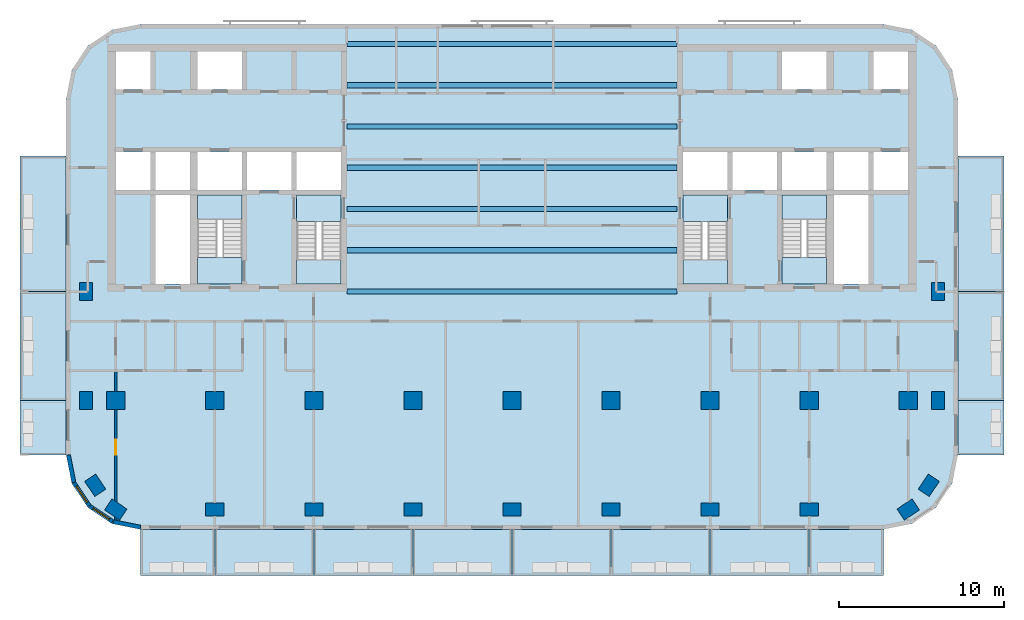
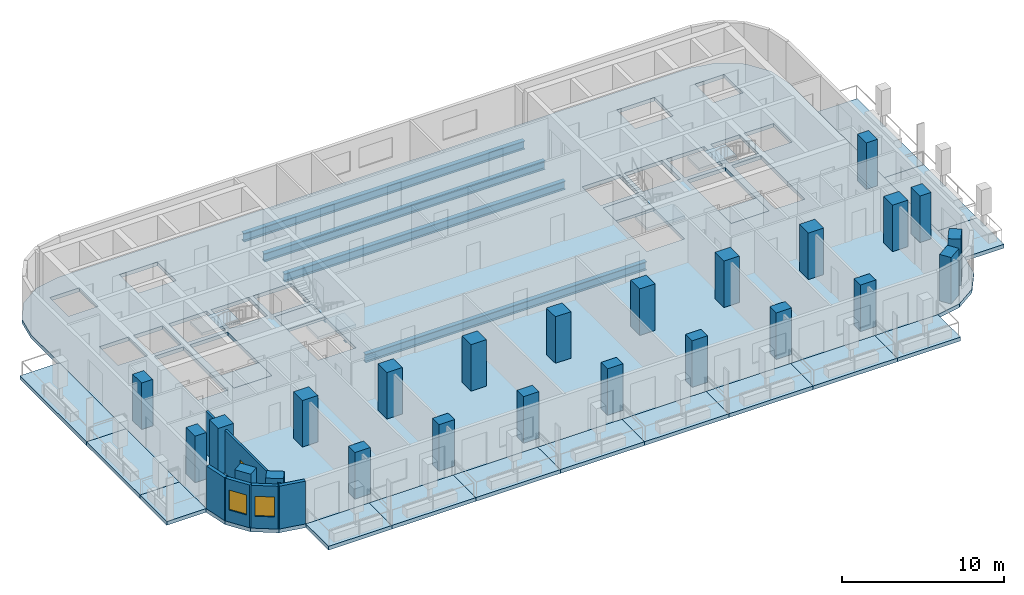
# One storey, part 1 of 11: 24 columns, 23 slabs, 7 beams, 5 walls, 2 windows, 1 door, 3 openings, 4 elements without a shape of their own.
"""IFC4 building model written with IfcOpenShell, lengths in metres."""

from ifc_helpers import new_model, si_unit, direction, frame, frame_2d, origin, origin_2d, place, context, subcontext, project, spatial, polyline, rectangle, i_section, outline, extrude, material, layer, layer_set, material_profile, profile_set, type_object, element, fill, aggregate, save


model = new_model("IFC4")

# Units and contexts
model_context = context("Model", 3, precision=1e-05, world=origin(), true_north=direction((0.0, 1.0)))
body_context = subcontext(model_context, "Body", "Model", "MODEL_VIEW")
ifc_project = project(units=[si_unit("LENGTHUNIT", "METRE"), si_unit("AREAUNIT", "SQUARE_METRE"), si_unit("VOLUMEUNIT", "CUBIC_METRE"), si_unit("PLANEANGLEUNIT", "RADIAN"), si_unit("MASSUNIT", "GRAM", prefix="KILO")], contexts=[model_context])

# Site, building, storey
site_placement = place(None, origin())
site = spatial("IfcSite", under=ifc_project, at=site_placement, CompositionType="ELEMENT")
building_placement = place(site_placement, origin())
building = spatial("IfcBuilding", under=site, at=building_placement, Name="Torana Hotel and Residences", CompositionType="ELEMENT")
storey_placement = place(building_placement, frame((0.0, 0.0, 190.60009765625)))
storey = spatial("IfcBuildingStorey", under=building, at=storey_placement, Name="L49", CompositionType="ELEMENT", Elevation=190.60009765625)

# Columns
ifc_material_1 = material(Name="Concrete C60/75", Category="concrete")
ifc_material_profile_1 = material_profile(ifc_material_1, rectangle(XDim=1.10009765625, YDim=1.10009765625, at=origin_2d()), Name="RC 1100x1100")
ifc_profile_set_1 = profile_set([ifc_material_profile_1], Name="Concrete C60/75")
column_type_1 = type_object("IfcColumnType", Name="COLUMN RC 1100x1100 C60/75", PredefinedType="COLUMN", material=ifc_profile_set_1)
for number, where, z_axis, x_axis, name in (
    (1, (-24.0, -21.60009765625, 0.0), (0.0, 0.0, 1.0), (1.0, 0.0, 0.0), "Column L49"),
    (2, (-18.0, -21.60009765625, 0.0), (0.0, 0.0, 1.0), (1.0, 0.0, 0.0), "Column L49"),
    (3, (-12.0, -21.60009765625, 0.0), (0.0, 0.0, 1.0), (1.0, 0.0, 0.0), "Column L49"),
    (4, (-6.0, -21.60009765625, 0.0), (0.0, 0.0, 1.0), (1.0, 0.0, 0.0), "Column L49"),
    (5, (0.0, -21.60009765625, 0.0), (0.0, 0.0, 1.0), (1.0, 0.0, 0.0), "Column L49"),
    (6, (6.0, -21.60009765625, 0.0), (0.0, 0.0, 1.0), (1.0, 0.0, 0.0), "Column L49"),
    (7, (12.0, -21.60009765625, 0.0), (0.0, 0.0, 1.0), (1.0, 0.0, 0.0), "Column L49"),
    (8, (18.0, -21.60009765625, 0.0), (0.0, 0.0, 1.0), (1.0, 0.0, 0.0), "Column L49"),
    (9, (24.0, -21.60009765625, 0.0), (0.0, 0.0, 1.0), (1.0, 0.0, 0.0), "Column L49"),
):
    element("IfcColumn", number, at=place(storey_placement, frame(where, z_axis=z_axis, x_axis=x_axis)), inside=storey, type_object=column_type_1, Name=name, PredefinedType="COLUMN", context=body_context, shape_type="SweptSolid", body=[
        extrude(rectangle(XDim=1.10009765625, YDim=1.10009765625, at=origin_2d()), origin(), (0.0, 0.0, 1.0), 3.5),
    ])
ifc_material_2 = material(Name="Concrete C60/75", Category="concrete")
ifc_material_profile_2 = material_profile(ifc_material_2, rectangle(XDim=1.10009765625, YDim=0.800048828125, at=origin_2d()), Name="RC 1100x800")
ifc_profile_set_2 = profile_set([ifc_material_profile_2], Name="Concrete C60/75")
column_type_2 = type_object("IfcColumnType", Name="COLUMN RC 1100x800 C60/75", PredefinedType="COLUMN", material=ifc_profile_set_2)
for number, where, z_axis, x_axis, name in (
    (10, (-25.800048828125, -21.60009765625, 0.0), (0.0, 0.0, 1.0), (0.0, 1.0, 0.0), "Column L49"),
    (11, (-25.800048828125, -15.0, 0.0), (0.0, 0.0, 1.0), (0.0, 1.0, 0.0), "Column L49"),
    (12, (-25.243896484375, -26.73291015625, 0.0), (0.0, 0.0, 1.0), (-0.555584744817, 0.831459915646, 0.0), "Column L49"),
    (13, (-24.0, -28.199951171875, 0.0), (0.0, 0.0, 1.0), (-0.831459915646, 0.555584744817, 0.0), "Column L49"),
    (14, (-18.0, -28.199951171875, 0.0), (0.0, 0.0, 1.0), (1.0, 0.0, 0.0), "Column L49"),
    (15, (-12.0, -28.199951171875, 0.0), (0.0, 0.0, 1.0), (1.0, 0.0, 0.0), "Column L49"),
    (16, (-6.0, -28.199951171875, 0.0), (0.0, 0.0, 1.0), (1.0, 0.0, 0.0), "Column L49"),
    (17, (0.0, -28.199951171875, 0.0), (0.0, 0.0, 1.0), (1.0, 0.0, 0.0), "Column L49"),
    (18, (6.0, -28.199951171875, 0.0), (0.0, 0.0, 1.0), (1.0, 0.0, 0.0), "Column L49"),
    (19, (12.0, -28.199951171875, 0.0), (0.0, 0.0, 1.0), (1.0, 0.0, 0.0), "Column L49"),
    (20, (18.0, -28.199951171875, 0.0), (0.0, 0.0, 1.0), (1.0, 0.0, 0.0), "Column L49"),
    (21, (24.0, -28.199951171875, 0.0), (0.0, 0.0, 1.0), (0.831459915646, 0.555584744817, 0.0), "Column L49"),
    (22, (25.243896484375, -26.73291015625, 0.0), (0.0, 0.0, 1.0), (0.555584744817, 0.831459915646, 0.0), "Column L49"),
    (23, (25.800048828125, -21.60009765625, 0.0), (0.0, 0.0, 1.0), (0.0, 1.0, 0.0), "Column L49"),
    (24, (25.800048828125, -15.0, 0.0), (0.0, 0.0, 1.0), (0.0, 1.0, 0.0), "Column L49"),
):
    element("IfcColumn", number, at=place(storey_placement, frame(where, z_axis=z_axis, x_axis=x_axis)), inside=storey, type_object=column_type_2, Name=name, PredefinedType="COLUMN", context=body_context, shape_type="SweptSolid", body=[
        extrude(rectangle(XDim=1.10009765625, YDim=0.800048828125, at=origin_2d()), origin(), (0.0, 0.0, 1.0), 3.5),
    ])

# Beams
ifc_material_3 = material(Name="Steel S355", Category="steel")
ifc_material_profile_3 = material_profile(ifc_material_3, i_section(OverallWidth=0.311279296875, OverallDepth=0.6357421875, WebThickness=0.018310546875, FlangeThickness=0.031494140625, FilletRadius=0.0166015625, at=origin_2d()), Name="610x305x238 UB")
ifc_profile_set_3 = profile_set([ifc_material_profile_3], Name="Steel S355")
beam_type = type_object("IfcBeamType", Name="STEEL GIRDER 610x305x238 UB", PredefinedType="BEAM", material=ifc_profile_set_3)
for number, where, z_axis, x_axis, name in (
    (25, (-10.0, -15.0, -0.597900390625), (1.0, 0.0, 0.0), (0.0, 1.0, 0.0), "Floor girder"),
    (26, (-10.0, -12.5, -0.597900390625), (1.0, 0.0, 0.0), (0.0, 1.0, 0.0), "Floor girder"),
    (27, (-10.0, -10.0, -0.597900390625), (1.0, 0.0, 0.0), (0.0, 1.0, 0.0), "Floor girder"),
    (28, (-10.0, -7.5, -0.597900390625), (1.0, 0.0, 0.0), (0.0, 1.0, 0.0), "Floor girder"),
    (29, (-10.0, -5.0, -0.597900390625), (1.0, 0.0, 0.0), (0.0, 1.0, 0.0), "Floor girder"),
    (30, (-10.0, -2.5, -0.597900390625), (1.0, 0.0, 0.0), (0.0, 1.0, 0.0), "Floor girder"),
    (31, (-10.0, 0.0, -0.597900390625), (1.0, 0.0, 0.0), (0.0, 1.0, 0.0), "Floor girder"),
):
    element("IfcBeam", number, at=place(storey_placement, frame(where, z_axis=z_axis, x_axis=x_axis)), inside=storey, type_object=beam_type, Name=name, PredefinedType="BEAM", context=body_context, shape_type="SweptSolid", body=[
        extrude(i_section(OverallWidth=0.311279296875, OverallDepth=0.6357421875, WebThickness=0.018310546875, FlangeThickness=0.031494140625, FilletRadius=0.0166015625, at=origin_2d()), origin(), (0.0, 0.0, 1.0), 20.0),
    ])

# Slabs
ifc_material_4 = material(Name="Concrete C40/50", Category="concrete")
ifc_layer_1 = layer(ifc_material_4, 0.280029296875)
ifc_layer_set_1 = layer_set([ifc_layer_1], Name="BAL1 BALCONY SLAB 280")
slab_type_1 = type_object("IfcSlabType", Name="BAL1 BALCONY SLAB 280", PredefinedType="USERDEFINED", material=ifc_layer_set_1)
slab_1_placement = place(storey_placement, frame((0.0, 0.0, -0.280029296875)))
element("IfcSlab", 32, at=slab_1_placement, inside=storey, type_object=slab_type_1, Name="Balcony 01", ObjectType="BALCONY", PredefinedType="USERDEFINED", context=body_context, shape_type="SweptSolid", body=[
    extrude(outline(polyline([(-22.5, -32.199951171875), (-18.0, -32.199951171875), (-18.0, -29.39990234375), (-22.5, -29.39990234375), (-22.5, -32.199951171875)])), origin(), (0.0, 0.0, 1.0), 0.280029296875),
])
slab_2_placement = place(storey_placement, frame((0.0, 0.0, -0.280029296875)))
element("IfcSlab", 33, at=slab_2_placement, inside=storey, type_object=slab_type_1, Name="Balcony 02", ObjectType="BALCONY", PredefinedType="USERDEFINED", context=body_context, shape_type="SweptSolid", body=[
    extrude(outline(polyline([(-18.0, -32.199951171875), (-12.0, -32.199951171875), (-12.0, -29.39990234375), (-18.0, -29.39990234375), (-18.0, -32.199951171875)])), origin(), (0.0, 0.0, 1.0), 0.280029296875),
])
slab_3_placement = place(storey_placement, frame((0.0, 0.0, -0.280029296875)))
element("IfcSlab", 34, at=slab_3_placement, inside=storey, type_object=slab_type_1, Name="Balcony 03", ObjectType="BALCONY", PredefinedType="USERDEFINED", context=body_context, shape_type="SweptSolid", body=[
    extrude(outline(polyline([(-12.0, -32.199951171875), (-6.0, -32.199951171875), (-6.0, -29.39990234375), (-12.0, -29.39990234375), (-12.0, -32.199951171875)])), origin(), (0.0, 0.0, 1.0), 0.280029296875),
])
slab_4_placement = place(storey_placement, frame((0.0, 0.0, -0.280029296875)))
element("IfcSlab", 35, at=slab_4_placement, inside=storey, type_object=slab_type_1, Name="Balcony 04", ObjectType="BALCONY", PredefinedType="USERDEFINED", context=body_context, shape_type="SweptSolid", body=[
    extrude(outline(polyline([(-6.0, -32.199951171875), (0.0, -32.199951171875), (0.0, -29.39990234375), (-6.0, -29.39990234375), (-6.0, -32.199951171875)])), origin(), (0.0, 0.0, 1.0), 0.280029296875),
])
slab_5_placement = place(storey_placement, frame((0.0, 0.0, -0.280029296875)))
element("IfcSlab", 36, at=slab_5_placement, inside=storey, type_object=slab_type_1, Name="Balcony 05", ObjectType="BALCONY", PredefinedType="USERDEFINED", context=body_context, shape_type="SweptSolid", body=[
    extrude(outline(polyline([(0.0, -32.199951171875), (6.0, -32.199951171875), (6.0, -29.39990234375), (0.0, -29.39990234375), (0.0, -32.199951171875)])), origin(), (0.0, 0.0, 1.0), 0.280029296875),
])
slab_6_placement = place(storey_placement, frame((0.0, 0.0, -0.280029296875)))
element("IfcSlab", 37, at=slab_6_placement, inside=storey, type_object=slab_type_1, Name="Balcony 06", ObjectType="BALCONY", PredefinedType="USERDEFINED", context=body_context, shape_type="SweptSolid", body=[
    extrude(outline(polyline([(6.0, -32.199951171875), (12.0, -32.199951171875), (12.0, -29.39990234375), (6.0, -29.39990234375), (6.0, -32.199951171875)])), origin(), (0.0, 0.0, 1.0), 0.280029296875),
])
slab_7_placement = place(storey_placement, frame((0.0, 0.0, -0.280029296875)))
element("IfcSlab", 38, at=slab_7_placement, inside=storey, type_object=slab_type_1, Name="Balcony 07", ObjectType="BALCONY", PredefinedType="USERDEFINED", context=body_context, shape_type="SweptSolid", body=[
    extrude(outline(polyline([(12.0, -32.199951171875), (18.0, -32.199951171875), (18.0, -29.39990234375), (12.0, -29.39990234375), (12.0, -32.199951171875)])), origin(), (0.0, 0.0, 1.0), 0.280029296875),
])
slab_8_placement = place(storey_placement, frame((0.0, 0.0, -0.280029296875)))
element("IfcSlab", 39, at=slab_8_placement, inside=storey, type_object=slab_type_1, Name="Balcony 08", ObjectType="BALCONY", PredefinedType="USERDEFINED", context=body_context, shape_type="SweptSolid", body=[
    extrude(outline(polyline([(18.0, -32.199951171875), (22.5, -32.199951171875), (22.5, -29.39990234375), (18.0, -29.39990234375), (18.0, -32.199951171875)])), origin(), (0.0, 0.0, 1.0), 0.280029296875),
])
slab_9_placement = place(storey_placement, frame((0.0, 0.0, -0.280029296875)))
element("IfcSlab", 40, at=slab_9_placement, inside=storey, type_object=slab_type_1, Name="Balcony 09", ObjectType="BALCONY", PredefinedType="USERDEFINED", context=body_context, shape_type="SweptSolid", body=[
    extrude(outline(polyline([(-29.800048828125, -24.89990234375), (-27.0, -24.89990234375), (-27.0, -21.60009765625), (-29.800048828125, -21.60009765625), (-29.800048828125, -24.89990234375)])), origin(), (0.0, 0.0, 1.0), 0.280029296875),
])
slab_10_placement = place(storey_placement, frame((0.0, 0.0, -0.280029296875)))
element("IfcSlab", 41, at=slab_10_placement, inside=storey, type_object=slab_type_1, Name="Balcony 10", ObjectType="BALCONY", PredefinedType="USERDEFINED", context=body_context, shape_type="SweptSolid", body=[
    extrude(outline(polyline([(-29.800048828125, -21.60009765625), (-27.0, -21.60009765625), (-27.0, -15.0), (-29.800048828125, -15.0), (-29.800048828125, -21.60009765625)])), origin(), (0.0, 0.0, 1.0), 0.280029296875),
])
slab_11_placement = place(storey_placement, frame((0.0, 0.0, -0.280029296875)))
element("IfcSlab", 42, at=slab_11_placement, inside=storey, type_object=slab_type_1, Name="Balcony 11", ObjectType="BALCONY", PredefinedType="USERDEFINED", context=body_context, shape_type="SweptSolid", body=[
    extrude(outline(polyline([(-29.800048828125, -15.0), (-27.0, -15.0), (-27.0, -6.800048828125), (-29.800048828125, -6.800048828125), (-29.800048828125, -15.0)])), origin(), (0.0, 0.0, 1.0), 0.280029296875),
])
slab_12_placement = place(storey_placement, frame((0.0, 0.0, -0.280029296875)))
element("IfcSlab", 43, at=slab_12_placement, inside=storey, type_object=slab_type_1, Name="Balcony 12", ObjectType="BALCONY", PredefinedType="USERDEFINED", context=body_context, shape_type="SweptSolid", body=[
    extrude(outline(polyline([(27.0, -24.89990234375), (29.800048828125, -24.89990234375), (29.800048828125, -21.60009765625), (27.0, -21.60009765625), (27.0, -24.89990234375)])), origin(), (0.0, 0.0, 1.0), 0.280029296875),
])
slab_13_placement = place(storey_placement, frame((0.0, 0.0, -0.280029296875)))
element("IfcSlab", 44, at=slab_13_placement, inside=storey, type_object=slab_type_1, Name="Balcony 13", ObjectType="BALCONY", PredefinedType="USERDEFINED", context=body_context, shape_type="SweptSolid", body=[
    extrude(outline(polyline([(27.0, -21.60009765625), (29.800048828125, -21.60009765625), (29.800048828125, -15.0), (27.0, -15.0), (27.0, -21.60009765625)])), origin(), (0.0, 0.0, 1.0), 0.280029296875),
])
slab_14_placement = place(storey_placement, frame((0.0, 0.0, -0.280029296875)))
element("IfcSlab", 45, at=slab_14_placement, inside=storey, type_object=slab_type_1, Name="Balcony 14", ObjectType="BALCONY", PredefinedType="USERDEFINED", context=body_context, shape_type="SweptSolid", body=[
    extrude(outline(polyline([(27.0, -15.0), (29.800048828125, -15.0), (29.800048828125, -6.800048828125), (27.0, -6.800048828125), (27.0, -15.0)])), origin(), (0.0, 0.0, 1.0), 0.280029296875),
])
ifc_material_5 = material(Name="Concrete C40/50", Category="concrete")
ifc_layer_2 = layer(ifc_material_5, 0.280029296875)
ifc_layer_set_2 = layer_set([ifc_layer_2], Name="FLOOR SLAB PT 280")
slab_type_2 = type_object("IfcSlabType", Name="FLOOR SLAB PT 280", PredefinedType="FLOOR", material=ifc_layer_set_2)
slab_15_placement = place(storey_placement, frame((0.0, 0.0, -0.280029296875)))
element("IfcSlab", 46, at=slab_15_placement, inside=storey, type_object=slab_type_2, Name="Floor slab", PredefinedType="FLOOR", context=body_context, shape_type="SweptSolid", body=[
    extrude(outline(polyline([(27.0, -3.300048828125), (26.657470703125, -1.577880859375), (25.681884765625, -0.117919921875), (24.22216796875, 0.857421875), (22.5, 1.199951171875), (-22.5, 1.199951171875), (-24.22216796875, 0.857421875), (-25.681884765625, -0.117919921875), (-26.657470703125, -1.577880859375), (-27.0, -3.300048828125), (-27.0, -24.89990234375), (-26.657470703125, -26.6220703125), (-25.681884765625, -28.08203125), (-24.22216796875, -29.0576171875), (-22.5, -29.39990234375), (22.5, -29.39990234375), (24.22216796875, -29.0576171875), (25.681884765625, -28.08203125), (26.657470703125, -26.6220703125), (27.0, -24.89990234375), (27.0, -3.300048828125)]), holes=[polyline([(-13.050048828125, -14.550048828125), (-10.35009765625, -14.550048828125), (-10.35009765625, -9.14990234375), (-13.050048828125, -9.14990234375), (-13.050048828125, -14.550048828125)]), polyline([(-19.050048828125, -14.550048828125), (-16.35009765625, -14.550048828125), (-16.35009765625, -9.14990234375), (-19.050048828125, -9.14990234375), (-19.050048828125, -14.550048828125)]), polyline([(-19.050048828125, -2.75), (-16.35009765625, -2.75), (-16.35009765625, -0.449951171875), (-19.050048828125, -0.449951171875), (-19.050048828125, -2.75)]), polyline([(-21.60009765625, -8.85009765625), (-19.5, -8.85009765625), (-19.5, -6.550048828125), (-21.60009765625, -6.550048828125), (-21.60009765625, -8.85009765625)]), polyline([(-24.0, -2.75), (-21.89990234375, -2.75), (-21.89990234375, -0.449951171875), (-24.0, -0.449951171875), (-24.0, -2.75)]), polyline([(-24.0, -8.85009765625), (-21.89990234375, -8.85009765625), (-21.89990234375, -6.550048828125), (-24.0, -6.550048828125), (-24.0, -8.85009765625)]), polyline([(-13.050048828125, -8.85009765625), (-10.35009765625, -8.85009765625), (-10.35009765625, -6.550048828125), (-13.050048828125, -6.550048828125), (-13.050048828125, -8.85009765625)]), polyline([(-16.050048828125, -8.85009765625), (-13.35009765625, -8.85009765625), (-13.35009765625, -6.550048828125), (-16.050048828125, -6.550048828125), (-16.050048828125, -8.85009765625)]), polyline([(-19.050048828125, -8.85009765625), (-16.35009765625, -8.85009765625), (-16.35009765625, -6.550048828125), (-19.050048828125, -6.550048828125), (-19.050048828125, -8.85009765625)]), polyline([(-21.60009765625, -14.550048828125), (-19.5, -14.550048828125), (-19.5, -9.14990234375), (-21.60009765625, -9.14990234375), (-21.60009765625, -14.550048828125)]), polyline([(10.35009765625, -14.550048828125), (13.050048828125, -14.550048828125), (13.050048828125, -9.14990234375), (10.35009765625, -9.14990234375), (10.35009765625, -14.550048828125)]), polyline([(16.35009765625, -14.550048828125), (19.050048828125, -14.550048828125), (19.050048828125, -9.14990234375), (16.35009765625, -9.14990234375), (16.35009765625, -14.550048828125)]), polyline([(16.35009765625, -2.75), (19.050048828125, -2.75), (19.050048828125, -0.449951171875), (16.35009765625, -0.449951171875), (16.35009765625, -2.75)]), polyline([(19.5, -8.85009765625), (21.60009765625, -8.85009765625), (21.60009765625, -6.550048828125), (19.5, -6.550048828125), (19.5, -8.85009765625)]), polyline([(21.89990234375, -2.75), (24.0, -2.75), (24.0, -0.449951171875), (21.89990234375, -0.449951171875), (21.89990234375, -2.75)]), polyline([(21.89990234375, -8.85009765625), (24.0, -8.85009765625), (24.0, -6.550048828125), (21.89990234375, -6.550048828125), (21.89990234375, -8.85009765625)]), polyline([(10.35009765625, -8.85009765625), (13.050048828125, -8.85009765625), (13.050048828125, -6.550048828125), (10.35009765625, -6.550048828125), (10.35009765625, -8.85009765625)]), polyline([(13.35009765625, -8.85009765625), (16.050048828125, -8.85009765625), (16.050048828125, -6.550048828125), (13.35009765625, -6.550048828125), (13.35009765625, -8.85009765625)]), polyline([(16.35009765625, -8.85009765625), (19.050048828125, -8.85009765625), (19.050048828125, -6.550048828125), (16.35009765625, -6.550048828125), (16.35009765625, -8.85009765625)]), polyline([(19.5, -14.550048828125), (21.60009765625, -14.550048828125), (21.60009765625, -9.14990234375), (19.5, -9.14990234375), (19.5, -14.550048828125)])]), origin(), (0.0, 0.0, 1.0), 0.280029296875),
])

# Stair, slabs
ifc_material_6 = material(Name="Concrete C40/50 precast", Category="concrete")
stair_type_1 = type_object("IfcStairType", Name="STAIR ST1 HALF TURN 1200", PredefinedType="HALF_TURN_STAIR", material=ifc_material_6)
stair_1_placement = place(storey_placement, origin())
stair_1 = element("IfcStair", 47, at=stair_1_placement, inside=storey, type_object=stair_type_1, Name="Stair ST1 L49", PredefinedType="HALF_TURN_STAIR")
ifc_material_7 = material(Name="Concrete C40/50 precast", Category="concrete")
ifc_layer_3 = layer(ifc_material_7, 0.199951171875)
ifc_layer_set_3 = layer_set([ifc_layer_3], Name="STAIR LANDING 200")
slab_type_3 = type_object("IfcSlabType", Name="STAIR LANDING 200", PredefinedType="LANDING", material=ifc_layer_set_3)
slab_16_placement = place(storey_placement, frame((0.0, 0.0, 1.5498046875)))
slab_16 = element("IfcSlab", 48, at=slab_16_placement, type_object=slab_type_3, Name="ST1 landing 1", PredefinedType="LANDING", context=body_context, shape_type="SweptSolid", body=[
    extrude(outline(polyline([(-13.050048828125, -14.550048828125), (-10.35009765625, -14.550048828125), (-10.35009765625, -13.090087890625), (-13.050048828125, -13.090087890625), (-13.050048828125, -14.550048828125)])), origin(), (0.0, 0.0, 1.0), 0.2001953125),
])
slab_17_placement = place(storey_placement, frame((0.0, 0.0, -0.2001953125)))
slab_17 = element("IfcSlab", 49, at=slab_17_placement, type_object=slab_type_3, Name="ST1 landing 2", PredefinedType="LANDING", context=body_context, shape_type="SweptSolid", body=[
    extrude(outline(polyline([(-13.050048828125, -10.75), (-10.35009765625, -10.75), (-10.35009765625, -9.14990234375), (-13.050048828125, -9.14990234375), (-13.050048828125, -10.75)])), origin(), (0.0, 0.0, 1.0), 0.2001953125),
])
aggregate(stair_1, [slab_16, slab_17])

ifc_material_8 = material(Name="Concrete C40/50 precast", Category="concrete")
stair_type_2 = type_object("IfcStairType", Name="STAIR ST2 HALF TURN 1200", PredefinedType="HALF_TURN_STAIR", material=ifc_material_8)
stair_2_placement = place(storey_placement, origin())
stair_2 = element("IfcStair", 50, at=stair_2_placement, inside=storey, type_object=stair_type_2, Name="Stair ST2 L49", PredefinedType="HALF_TURN_STAIR")
slab_18_placement = place(storey_placement, frame((0.0, 0.0, 1.5498046875)))
slab_18 = element("IfcSlab", 51, at=slab_18_placement, type_object=slab_type_3, Name="ST2 landing 1", PredefinedType="LANDING", context=body_context, shape_type="SweptSolid", body=[
    extrude(outline(polyline([(-19.050048828125, -10.610107421875), (-16.35009765625, -10.610107421875), (-16.35009765625, -9.14990234375), (-19.050048828125, -9.14990234375), (-19.050048828125, -10.610107421875)])), origin(), (0.0, 0.0, 1.0), 0.2001953125),
])
slab_19_placement = place(storey_placement, frame((0.0, 0.0, -0.2001953125)))
slab_19 = element("IfcSlab", 52, at=slab_19_placement, type_object=slab_type_3, Name="ST2 landing 2", PredefinedType="LANDING", context=body_context, shape_type="SweptSolid", body=[
    extrude(outline(polyline([(-19.050048828125, -14.550048828125), (-16.35009765625, -14.550048828125), (-16.35009765625, -12.949951171875), (-19.050048828125, -12.949951171875), (-19.050048828125, -14.550048828125)])), origin(), (0.0, 0.0, 1.0), 0.2001953125),
])
aggregate(stair_2, [slab_18, slab_19])

ifc_material_9 = material(Name="Concrete C40/50 precast", Category="concrete")
stair_type_3 = type_object("IfcStairType", Name="STAIR ST3 HALF TURN 1200", PredefinedType="HALF_TURN_STAIR", material=ifc_material_9)
stair_3_placement = place(storey_placement, origin())
stair_3 = element("IfcStair", 53, at=stair_3_placement, inside=storey, type_object=stair_type_3, Name="Stair ST3 L49", PredefinedType="HALF_TURN_STAIR")
slab_20_placement = place(storey_placement, frame((0.0, 0.0, 1.5498046875)))
slab_20 = element("IfcSlab", 54, at=slab_20_placement, type_object=slab_type_3, Name="ST3 landing 1", PredefinedType="LANDING", context=body_context, shape_type="SweptSolid", body=[
    extrude(outline(polyline([(10.35009765625, -14.550048828125), (13.050048828125, -14.550048828125), (13.050048828125, -13.090087890625), (10.35009765625, -13.090087890625), (10.35009765625, -14.550048828125)])), origin(), (0.0, 0.0, 1.0), 0.2001953125),
])
slab_21_placement = place(storey_placement, frame((0.0, 0.0, -0.2001953125)))
slab_21 = element("IfcSlab", 55, at=slab_21_placement, type_object=slab_type_3, Name="ST3 landing 2", PredefinedType="LANDING", context=body_context, shape_type="SweptSolid", body=[
    extrude(outline(polyline([(10.35009765625, -10.75), (13.050048828125, -10.75), (13.050048828125, -9.14990234375), (10.35009765625, -9.14990234375), (10.35009765625, -10.75)])), origin(), (0.0, 0.0, 1.0), 0.2001953125),
])
aggregate(stair_3, [slab_20, slab_21])

ifc_material_10 = material(Name="Concrete C40/50 precast", Category="concrete")
stair_type_4 = type_object("IfcStairType", Name="STAIR ST4 HALF TURN 1200", PredefinedType="HALF_TURN_STAIR", material=ifc_material_10)
stair_4_placement = place(storey_placement, origin())
stair_4 = element("IfcStair", 56, at=stair_4_placement, inside=storey, type_object=stair_type_4, Name="Stair ST4 L49", PredefinedType="HALF_TURN_STAIR")
slab_22_placement = place(storey_placement, frame((0.0, 0.0, 1.5498046875)))
slab_22 = element("IfcSlab", 57, at=slab_22_placement, type_object=slab_type_3, Name="ST4 landing 1", PredefinedType="LANDING", context=body_context, shape_type="SweptSolid", body=[
    extrude(outline(polyline([(16.35009765625, -10.610107421875), (19.050048828125, -10.610107421875), (19.050048828125, -9.14990234375), (16.35009765625, -9.14990234375), (16.35009765625, -10.610107421875)])), origin(), (0.0, 0.0, 1.0), 0.2001953125),
])
slab_23_placement = place(storey_placement, frame((0.0, 0.0, -0.2001953125)))
slab_23 = element("IfcSlab", 58, at=slab_23_placement, type_object=slab_type_3, Name="ST4 landing 2", PredefinedType="LANDING", context=body_context, shape_type="SweptSolid", body=[
    extrude(outline(polyline([(16.35009765625, -14.550048828125), (19.050048828125, -14.550048828125), (19.050048828125, -12.949951171875), (16.35009765625, -12.949951171875), (16.35009765625, -14.550048828125)])), origin(), (0.0, 0.0, 1.0), 0.2001953125),
])
aggregate(stair_4, [slab_22, slab_23])

# Wall
ifc_material_11 = material(Name="Black aluminium composite panel", Category="aluminium")
ifc_layer_4 = layer(ifc_material_11, 0.00390625, Name="Cladding", Category="cladding")
ifc_material_12 = material(Name="Ventilated air cavity")
ifc_layer_5 = layer(ifc_material_12, 0.0400390625, Name="Ventilated cavity", Category="cavity")
ifc_material_13 = material(Name="Mineral wool insulation")
ifc_layer_6 = layer(ifc_material_13, 0.090087890625, Name="Insulation", Category="insulation")
ifc_material_14 = material(Name="Steel S280GD", Category="steel")
ifc_layer_7 = layer(ifc_material_14, 0.092041015625, Name="Steel stud frame", Category="structure")
ifc_material_15 = material(Name="Fire rated plasterboard")
ifc_layer_8 = layer(ifc_material_15, 0.011962890625, Name="Inner board", Category="finish")
ifc_layer_9 = layer(ifc_material_15, 0.011962890625, Name="Second board", Category="finish")
ifc_layer_set_4 = layer_set([ifc_layer_4, ifc_layer_5, ifc_layer_6, ifc_layer_7, ifc_layer_8, ifc_layer_9], Name="EW1 EXTERNAL WALL BLACK METAL CLAD 250")
wall_type_1 = type_object("IfcWallType", Name="EW1 EXTERNAL WALL BLACK METAL CLAD 250", PredefinedType="SOLIDWALL", material=ifc_layer_set_4)
wall_1_placement = place(storey_placement, frame((-26.87255859375, -24.89990234375, 0.0), z_axis=(0.0, 0.0, 1.0), x_axis=(0.195026884138, -0.980797896849, 0.0)))
element("IfcWall", 59, at=wall_1_placement, inside=storey, type_object=wall_type_1, Name="External wall L49 e0.10", PredefinedType="SOLIDWALL", context=body_context, shape_type="SweptSolid", body=[
    extrude(rectangle(XDim=1.68115234375, YDim=0.25, at=frame_2d((0.840576171875, 0.0))), origin(), (0.0, 0.0, 1.0), 3.219970703125),
])

# Wall, opening, window
wall_2_placement = place(storey_placement, frame((-26.52587890625, -26.593994140625, 0.0), z_axis=(0.0, 0.0, 1.0), x_axis=(0.55555029066, -0.831482937015, 0.0)))
wall_2 = element("IfcWall", 60, at=wall_2_placement, inside=storey, type_object=wall_type_1, Name="External wall L49 e0.11", PredefinedType="SOLIDWALL", context=body_context, shape_type="SweptSolid", body=[
    extrude(rectangle(XDim=1.65625, YDim=0.25, at=frame_2d((0.828125, 0.0))), origin(), (0.0, 0.0, 1.0), 3.219970703125),
])
opening_1_placement = place(wall_2_placement, frame((0.228271484375, 0.0, 0.89990234375)))
opening_1 = element("IfcOpeningElement", 61, at=opening_1_placement, cuts=wall_2, Name="Opening W5", PredefinedType="OPENING", context=body_context, shape_type="SweptSolid", body=[
    extrude(rectangle(XDim=1.199951171875, YDim=1.5, at=frame_2d((0.60009765625, 0.75))), frame((0.0, 0.135009765625, 0.0), z_axis=(0.0, -1.0, 0.0), x_axis=(1.0, 0.0, 0.0)), (0.0, 0.0, 1.0), 0.27001953125),
])
ifc_material_16 = material(Name="Dark glass in black aluminium frame", Category="aluminium")
window_type = type_object("IfcWindowType", Name="W5 CORNER FACET WINDOW 1200x1500", PartitioningType="SINGLE_PANEL", PredefinedType="WINDOW", material=ifc_material_16)
window_1_placement = place(opening_1_placement, origin())
window_1 = element("IfcWindow", 62, at=window_1_placement, inside=storey, type_object=window_type, Name="Window L49 e0.11", OverallHeight=1.5, OverallWidth=1.199951171875, PartitioningType="SINGLE_PANEL", PredefinedType="WINDOW", context=body_context, shape_type="SweptSolid", body=[
    extrude(rectangle(XDim=1.199951171875, YDim=1.5, at=frame_2d((0.60009765625, 0.75))), frame((0.0, 0.030029296875, 0.0), z_axis=(0.0, -1.0, 0.0), x_axis=(1.0, 0.0, 0.0)), (0.0, 0.0, 1.0), 0.06005859375),
])
fill(opening_1, window_1)

wall_3_placement = place(storey_placement, frame((-25.5712890625, -28.005615234375, 0.0), z_axis=(0.0, 0.0, 1.0), x_axis=(0.831482937015, -0.55555029066, 0.0)))
wall_3 = element("IfcWall", 63, at=wall_3_placement, inside=storey, type_object=wall_type_1, Name="External wall L49 e0.12", PredefinedType="SOLIDWALL", context=body_context, shape_type="SweptSolid", body=[
    extrude(rectangle(XDim=1.65625, YDim=0.25, at=frame_2d((0.828125, 0.0))), origin(), (0.0, 0.0, 1.0), 3.219970703125),
])
opening_2_placement = place(wall_3_placement, frame((0.228271484375, 0.0, 0.89990234375)))
opening_2 = element("IfcOpeningElement", 64, at=opening_2_placement, cuts=wall_3, Name="Opening W5", PredefinedType="OPENING", context=body_context, shape_type="SweptSolid", body=[
    extrude(rectangle(XDim=1.199951171875, YDim=1.5, at=frame_2d((0.60009765625, 0.75))), frame((0.0, 0.135009765625, 0.0), z_axis=(0.0, -1.0, 0.0), x_axis=(1.0, 0.0, 0.0)), (0.0, 0.0, 1.0), 0.27001953125),
])
window_2_placement = place(opening_2_placement, origin())
window_2 = element("IfcWindow", 65, at=window_2_placement, inside=storey, type_object=window_type, Name="Window L49 e0.12", OverallHeight=1.5, OverallWidth=1.199951171875, PartitioningType="SINGLE_PANEL", PredefinedType="WINDOW", context=body_context, shape_type="SweptSolid", body=[
    extrude(rectangle(XDim=1.199951171875, YDim=1.5, at=frame_2d((0.60009765625, 0.75))), frame((0.0, 0.030029296875, 0.0), z_axis=(0.0, -1.0, 0.0), x_axis=(1.0, 0.0, 0.0)), (0.0, 0.0, 1.0), 0.06005859375),
])
fill(opening_2, window_2)

# Wall
wall_4_placement = place(storey_placement, frame((-24.14892578125, -28.944580078125, 0.0), z_axis=(0.0, 0.0, 1.0), x_axis=(0.980775640221, -0.19513878023, 0.0)))
element("IfcWall", 66, at=wall_4_placement, inside=storey, type_object=wall_type_1, Name="External wall L49 e0.13", PredefinedType="SOLIDWALL", context=body_context, shape_type="SweptSolid", body=[
    extrude(rectangle(XDim=1.681396484375, YDim=0.25, at=frame_2d((0.8408203125, 0.0))), origin(), (0.0, 0.0, 1.0), 3.219970703125),
])

# Wall, opening, door
ifc_material_17 = material(Name="Gypsum plasterboard")
ifc_layer_10 = layer(ifc_material_17, 0.012451171875, Name="Plasterboard", Category="finish")
ifc_layer_11 = layer(ifc_material_17, 0.012451171875, Name="Plasterboard", Category="finish")
ifc_layer_12 = layer(ifc_material_14, 0.10009765625, Name="Steel studs with mineral wool", Category="insulation")
ifc_layer_13 = layer(ifc_material_17, 0.012451171875, Name="Plasterboard", Category="finish")
ifc_layer_14 = layer(ifc_material_17, 0.012451171875, Name="Plasterboard", Category="finish")
ifc_layer_set_5 = layer_set([ifc_layer_10, ifc_layer_11, ifc_layer_12, ifc_layer_13, ifc_layer_14], Name="PARTITION 150 PLASTERBOARD")
wall_type_2 = type_object("IfcWallType", Name="PARTITION 150 PLASTERBOARD", PredefinedType="PARTITIONING", material=ifc_layer_set_5)
wall_5_placement = place(storey_placement, frame((-24.0, -28.918212890625, 0.0), z_axis=(0.0, 0.0, 1.0), x_axis=(0.0, 1.0, 0.0)))
wall_5 = element("IfcWall", 67, at=wall_5_placement, inside=storey, type_object=wall_type_2, Name="Partition L49", PredefinedType="PARTITIONING", context=body_context, shape_type="SweptSolid", body=[
    extrude(rectangle(XDim=9.1181640625, YDim=0.14990234375, at=frame_2d((4.55908203125, 0.0))), origin(), (0.0, 0.0, 1.0), 3.219970703125),
])
opening_3_placement = place(wall_5_placement, frame((4.0361328125, 0.0, 0.0)))
opening_3 = element("IfcOpeningElement", 68, at=opening_3_placement, cuts=wall_5, Name="Opening L49-55", PredefinedType="OPENING", context=body_context, shape_type="SweptSolid", body=[
    extrude(rectangle(XDim=0.89990234375, YDim=2.10009765625, at=frame_2d((0.449951171875, 1.050048828125))), frame((0.0, 0.0849609375, 0.0), z_axis=(0.0, -1.0, 0.0), x_axis=(1.0, 0.0, 0.0)), (0.0, 0.0, 1.0), 0.169921875),
])
ifc_material_18 = material(Name="Timber door, oiled ash", Category="wood")
door_type = type_object("IfcDoorType", Name="ROOM DOOR D7 900x2100", OperationType="SINGLE_SWING_LEFT", PredefinedType="DOOR", material=ifc_material_18)
door_placement = place(opening_3_placement, origin())
door = element("IfcDoor", 69, at=door_placement, inside=storey, type_object=door_type, Name="Door L49", OperationType="SINGLE_SWING_RIGHT", OverallHeight=2.10009765625, OverallWidth=0.89990234375, PredefinedType="DOOR", context=body_context, shape_type="SweptSolid", body=[
    extrude(rectangle(XDim=0.89990234375, YDim=2.10009765625, at=frame_2d((0.449951171875, 1.050048828125))), frame((0.0, 0.02490234375, 0.0), z_axis=(0.0, -1.0, 0.0), x_axis=(1.0, 0.0, 0.0)), (0.0, 0.0, 1.0), 0.050048828125),
])
fill(opening_3, door)

save(model, "model.ifc")
